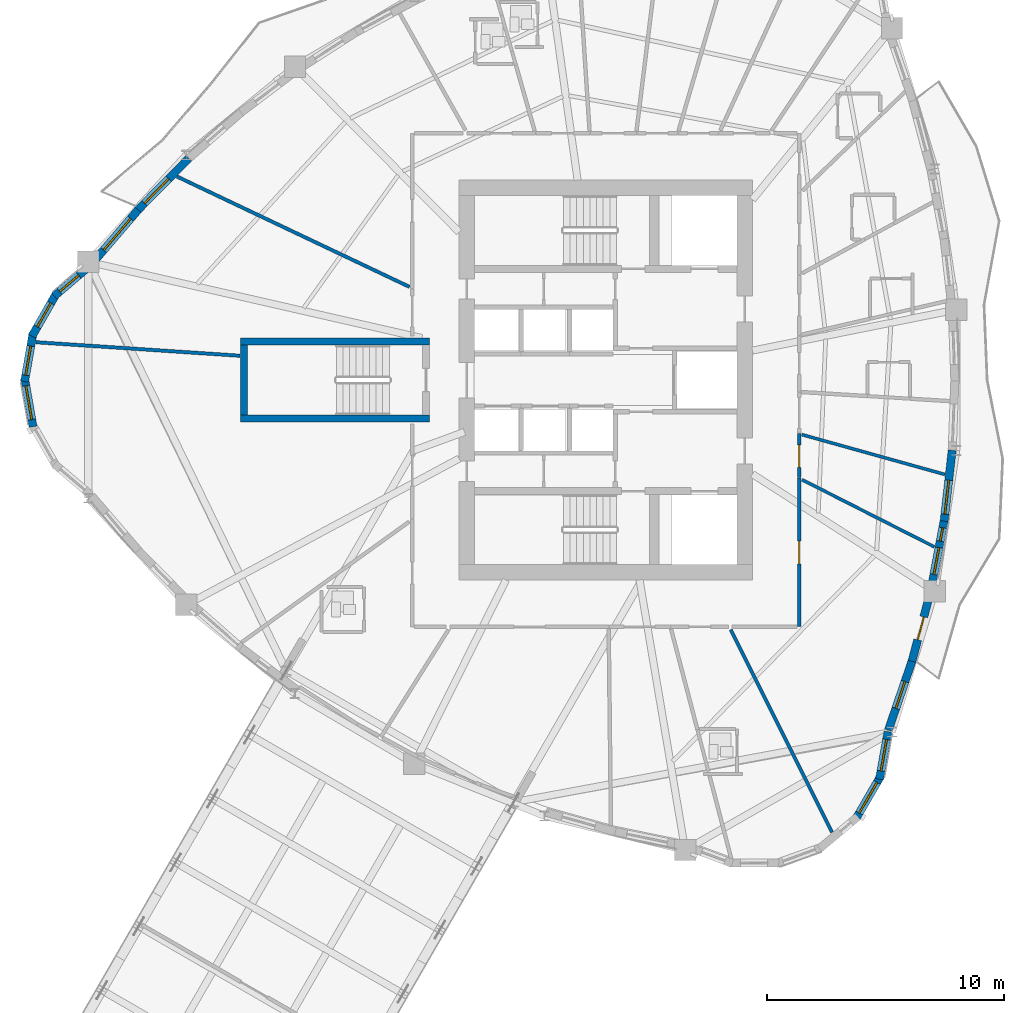
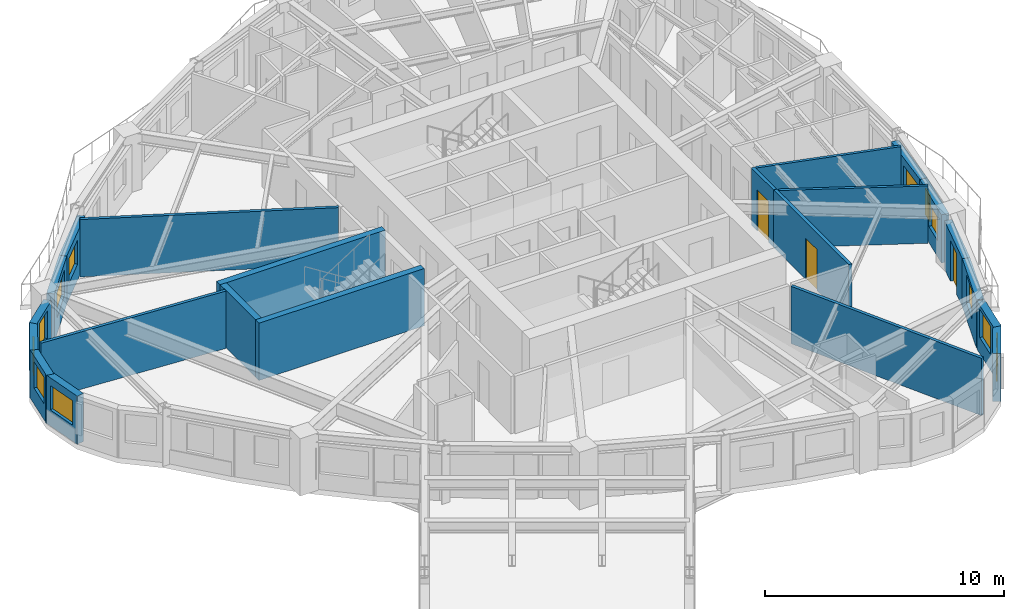
# One storey, part 7 of 17: 22 walls, 12 windows, 3 doors, 15 openings.
"""IFC4 building model written with IfcOpenShell, lengths in metres."""

import ifcopenshell
import ifcopenshell.guid

model = None  # the IFC model being written
_history = None  # IfcOwnerHistory: only IFC2X3 demands one
_inside = {}  # id of a spatial element -> (the spatial element, [elements in it])
_under = {}  # id of a project, library or spatial element -> (it, [spatial elements below it])
_declared = {}  # id of a project -> (the project, [libraries it declares])
_typed = {}  # id of a type object -> (the type object, [elements of that type])
_made_of = {}  # id of a material, layer set ... -> (it, [elements and type objects made of it])


def new_model(schema):
    """Start an empty IFC model of exactly this schema.

    Asked for "IFC4X3", IfcOpenShell would pick the latest addendum, in which some entities
    have other attributes; the version numbers below select the first issue.
    IFC2X3 requires an IfcOwnerHistory on every rooted entity: one is made here for all.
    """
    global model, _history
    if schema == "IFC4X3":
        model = ifcopenshell.file(schema_version=(4, 3, 0, 0))
    else:
        model = ifcopenshell.file(schema=schema)
    _inside.clear()
    _under.clear()
    _declared.clear()
    _typed.clear()
    _made_of.clear()
    _history = None
    if model.schema == "IFC2X3":
        org = make("IfcOrganization", Name="unknown")
        user = make(
            "IfcPersonAndOrganization",
            ThePerson=make("IfcPerson", FamilyName="unknown"),
            TheOrganization=org,
        )
        app = make(
            "IfcApplication",
            ApplicationDeveloper=org,
            Version="unknown",
            ApplicationFullName="unknown",
            ApplicationIdentifier="unknown",
        )
        _history = make(
            "IfcOwnerHistory",
            OwningUser=user,
            OwningApplication=app,
            ChangeAction="ADDED",
            CreationDate=0,
        )
    return model


def make(cls, **values):
    """One entity of the class cls with the attributes given. An attribute that is None is left unset."""
    return model.create_entity(
        cls, **{name: value for name, value in values.items() if value is not None}
    )


def rooted(cls, **values):
    """An entity with a GlobalId (a new one), such as an element, a storey or a relation."""
    return make(cls, GlobalId=ifcopenshell.guid.new(), OwnerHistory=_history, **values)


def si_unit(unit_type, name, prefix=None):
    """IfcSIUnit, for example si_unit("LENGTHUNIT", "METRE", prefix="MILLI")."""
    return make("IfcSIUnit", UnitType=unit_type, Prefix=prefix, Name=name)


def assignment(units):
    """IfcUnitAssignment: the units of a project."""
    return None if units is None else make("IfcUnitAssignment", Units=units)


def point(xyz):
    """IfcCartesianPoint."""
    return None if xyz is None else make("IfcCartesianPoint", Coordinates=xyz)


def direction(xyz):
    """IfcDirection."""
    return None if xyz is None else make("IfcDirection", DirectionRatios=xyz)


def frame(location, z_axis=None, x_axis=None):
    """IfcAxis2Placement3D, a coordinate frame: its origin and axes. An axis left out is left unset."""
    return make(
        "IfcAxis2Placement3D",
        Location=point(location),
        Axis=direction(z_axis),
        RefDirection=direction(x_axis),
    )


def frame_2d(location, x_axis=None):
    """IfcAxis2Placement2D, a coordinate frame in the plane: its origin and x axis."""
    return make(
        "IfcAxis2Placement2D", Location=point(location), RefDirection=direction(x_axis)
    )


def origin():
    """The frame at (0, 0, 0) with its axes left unset."""
    return frame((0.0, 0.0, 0.0))


def place(relative_to, where):
    """IfcLocalPlacement: puts the frame where relative to a parent placement (None: the world)."""
    return make(
        "IfcLocalPlacement", PlacementRelTo=relative_to, RelativePlacement=where
    )


def context(
    kind, dimensions, precision=None, world=None, true_north=None, identifier=None
):
    """IfcGeometricRepresentationContext, for example the 3D "Model" context."""
    return make(
        "IfcGeometricRepresentationContext",
        ContextIdentifier=identifier,
        ContextType=kind,
        CoordinateSpaceDimension=dimensions,
        Precision=precision,
        WorldCoordinateSystem=world,
        TrueNorth=true_north,
    )


def subcontext(parent, identifier, kind, view, scale=None):
    """IfcGeometricRepresentationSubContext, for example "Body" below "Model"."""
    return make(
        "IfcGeometricRepresentationSubContext",
        ContextIdentifier=identifier,
        ContextType=kind,
        ParentContext=parent,
        TargetScale=scale,
        TargetView=view,
    )


def project(units=None, contexts=None):
    """IfcProject with its units and contexts."""
    return rooted(
        "IfcProject",
        Name="project",
        RepresentationContexts=contexts,
        UnitsInContext=assignment(units),
    )


def spatial(cls, under=None, at=None, **own):
    """A site, building, storey or space (cls), placed at a placement, below another one or the project."""
    s = rooted(cls, ObjectPlacement=at, **own)
    if under is not None:
        _under.setdefault(under.id(), (under, []))[1].append(s)
    return s


def profile(cls, at=None, kind="AREA", **sizes):
    """A parametric profile (cls). Its sizes go by their IFC names, for example OverallWidth=200.0."""
    return make(cls, ProfileType=kind, Position=at, **sizes)


def rectangle(**sizes):
    """IfcRectangleProfileDef."""
    return profile("IfcRectangleProfileDef", **sizes)


def extrude(swept, where, along, depth):
    """IfcExtrudedAreaSolid: the profile swept, set in the frame where, extruded along a direction by depth."""
    return make(
        "IfcExtrudedAreaSolid",
        SweptArea=swept,
        Position=where,
        ExtrudedDirection=direction(along),
        Depth=depth,
    )


def shape(context_of_items, identifier, shape_type, items):
    """IfcShapeRepresentation: the items that make up one representation, for example the "Body"."""
    return make(
        "IfcShapeRepresentation",
        ContextOfItems=context_of_items,
        RepresentationIdentifier=identifier,
        RepresentationType=shape_type,
        Items=items,
    )


def source(mapping_origin, context_of_items, identifier, shape_type, items):
    """IfcRepresentationMap: a shape defined once, which mapped items show again and again."""
    return make(
        "IfcRepresentationMap",
        MappingOrigin=mapping_origin,
        MappedRepresentation=shape(context_of_items, identifier, shape_type, items),
    )


def transform(
    local_origin,
    x_axis=None,
    y_axis=None,
    z_axis=None,
    scale=None,
    scale2=None,
    scale3=None,
    uniform=True,
):
    """IfcCartesianTransformationOperator3D, or its non-uniform kind. x_axis, y_axis, z_axis: its Axis1, 2, 3."""
    if uniform:
        return make(
            "IfcCartesianTransformationOperator3D",
            Axis1=direction(x_axis),
            Axis2=direction(y_axis),
            LocalOrigin=point(local_origin),
            Scale=scale,
            Axis3=direction(z_axis),
        )
    return make(
        "IfcCartesianTransformationOperator3DnonUniform",
        Axis1=direction(x_axis),
        Axis2=direction(y_axis),
        LocalOrigin=point(local_origin),
        Scale=scale,
        Axis3=direction(z_axis),
        Scale2=scale2,
        Scale3=scale3,
    )


def mapped(mapping_source, mapping_target):
    """IfcMappedItem: shows the shape of a source again, moved by a transform."""
    return make(
        "IfcMappedItem", MappingSource=mapping_source, MappingTarget=mapping_target
    )


def material(Name=None, Category=None):
    """IfcMaterial."""
    return make("IfcMaterial", Name=Name, Category=Category)


def layer(
    of_material, thickness, ventilated=None, Name=None, Category=None, Priority=None
):
    """IfcMaterialLayer: one layer of a wall or slab, of a material (None: an air gap)."""
    return make(
        "IfcMaterialLayer",
        Material=of_material,
        LayerThickness=thickness,
        IsVentilated=ventilated,
        Name=Name,
        Category=Category,
        Priority=Priority,
    )


def layer_set(layers, Name=None):
    """IfcMaterialLayerSet."""
    return make("IfcMaterialLayerSet", MaterialLayers=layers, LayerSetName=Name)


def made_of(thing, what):
    """Note that an element or type object is made of a material, layer set ...; save() writes the relation."""
    if what is not None:
        _made_of.setdefault(what.id(), (what, []))[1].append(thing)
    return thing


def type_object(cls, material=None, **own):
    """A type object (cls), such as IfcWallType, which elements share."""
    return made_of(rooted(cls, **own), material)


def element(
    cls,
    number,
    at=None,
    inside=None,
    cuts=None,
    type_object=None,
    material=None,
    context=None,
    identifier="Body",
    shape_type=None,
    held_by="IfcProductDefinitionShape",
    body=None,
    shapes=None,
    **own,
):
    """One element of the class cls, such as IfcWall. Its Tag is "e" and its number.

    at: its placement. inside: the storey or other place that contains it. cuts: it is an
    opening in that element (IfcRelVoidsElement). A single representation is given by context,
    identifier, shape_type and body (its items); several are given by shapes. held_by: the class
    of the entity that holds the representations. save() writes the other relations.
    """
    e = rooted(cls, Tag="e%d" % number, ObjectPlacement=at, **own)
    if body is not None:
        shapes = [shape(context, identifier, shape_type, body)]
    if shapes is not None:
        e.Representation = make(held_by, Representations=shapes)
    if inside is not None:
        _inside.setdefault(inside.id(), (inside, []))[1].append(e)
    if cuts is not None:
        rooted(
            "IfcRelVoidsElement", RelatingBuildingElement=cuts, RelatedOpeningElement=e
        )
    if type_object is not None:
        _typed.setdefault(type_object.id(), (type_object, []))[1].append(e)
    return made_of(e, material)


def fill(opening, filler):
    """IfcRelFillsElement: the door or window that sits in an opening."""
    return rooted(
        "IfcRelFillsElement",
        RelatingOpeningElement=opening,
        RelatedBuildingElement=filler,
    )


def aggregate(whole, parts):
    """IfcRelAggregates: a whole, such as a stair, and the parts it consists of."""
    return rooted("IfcRelAggregates", RelatingObject=whole, RelatedObjects=parts)


def save(model, path):
    """Write the relations noted so far, then the file.

    IfcRelAggregates (storeys below a building ...), IfcRelContainedInSpatialStructure (elements
    in a storey), IfcRelDefinesByType, IfcRelAssociatesMaterial and IfcRelDeclares: one each for
    every whole, place, type object, material and project.
    """
    for whole, parts in _under.values():
        aggregate(whole, parts)
    for where, things in _inside.values():
        rooted(
            "IfcRelContainedInSpatialStructure",
            RelatedElements=things,
            RelatingStructure=where,
        )
    for kind, things in _typed.values():
        rooted("IfcRelDefinesByType", RelatedObjects=things, RelatingType=kind)
    for what, things in _made_of.values():
        rooted("IfcRelAssociatesMaterial", RelatedObjects=things, RelatingMaterial=what)
    for by, libraries in _declared.values():
        rooted("IfcRelDeclares", RelatingContext=by, RelatedDefinitions=libraries)
    model.write(path)


model = new_model("IFC4")

# Units and contexts
model_context = context("Model", 3, precision=1e-05, world=origin(), true_north=direction((0.0, 1.0)))
body_context = subcontext(model_context, "Body", "Model", "MODEL_VIEW")
ifc_project = project(units=[si_unit("LENGTHUNIT", "METRE"), si_unit("AREAUNIT", "SQUARE_METRE"), si_unit("VOLUMEUNIT", "CUBIC_METRE"), si_unit("PLANEANGLEUNIT", "RADIAN"), si_unit("MASSUNIT", "GRAM", prefix="KILO")], contexts=[model_context])

# Site, building, storey
site_placement = place(None, origin())
site = spatial("IfcSite", under=ifc_project, at=site_placement, CompositionType="ELEMENT")
building_placement = place(site_placement, origin())
building = spatial("IfcBuilding", under=site, at=building_placement, Name="Qafzar Sky-Pleat Residences", CompositionType="ELEMENT")
storey_placement = place(building_placement, frame((0.0, 0.0, 108.800048828125)))
storey = spatial("IfcBuildingStorey", under=building, at=storey_placement, Name="L32", CompositionType="ELEMENT", Elevation=108.800048828125)

# Wall, opening, door
ifc_material_1 = material(Name="Acoustic gypsum plasterboard partition", Category="gypsum")
ifc_layer_1 = layer(ifc_material_1, 0.159912109375)
ifc_layer_set_1 = layer_set([ifc_layer_1], Name="Acoustic gypsum plasterboard partition")
wall_type_1 = type_object("IfcWallType", Name="PART-COR-160", PredefinedType="PARTITIONING", material=ifc_layer_set_1)
wall_1_placement = place(storey_placement, frame((38.530029296875, 21.863037109375, 0.0), z_axis=(0.0, 0.0, 1.0), x_axis=(0.0, -1.0, 0.0)))
wall_1 = element("IfcWall", 1, at=wall_1_placement, inside=storey, type_object=wall_type_1, Name="L32 Partition Wall PART-L32-PW-004", PredefinedType="PARTITIONING", context=body_context, shape_type="SweptSolid", body=[
    extrude(rectangle(XDim=6.29296875, YDim=0.159912109375, at=frame_2d((3.146484375, 0.0))), origin(), (0.0, 0.0, 1.0), 2.93505859375),
])
opening_1_placement = place(wall_1_placement, frame((2.675048828125, 0.0, 0.0)))
opening_1 = element("IfcOpeningElement", 2, at=opening_1_placement, cuts=wall_1, Name="Opening ID-06", PredefinedType="OPENING", context=body_context, shape_type="SweptSolid", body=[
    extrude(rectangle(XDim=0.9599609375, YDim=2.10009765625, at=frame_2d((0.47998046875, 1.050048828125))), frame((0.0, 0.08984375, 0.0), z_axis=(0.0, -1.0, 0.0), x_axis=(1.0, 0.0, 0.0)), (0.0, 0.0, 1.0), 0.179931640625),
])
ifc_material_2 = material(Name="Timber-faced fire door", Category="wood")
door_type_1 = type_object("IfcDoorType", Name="DR-STD-960", OperationType="NOTDEFINED", PredefinedType="DOOR", material=ifc_material_2)
shared_shape_1 = source(origin(), body_context, "Body", "SweptSolid", [
    extrude(rectangle(XDim=0.9599609375, YDim=2.10009765625, at=frame_2d((0.47998046875, 1.050048828125))), frame((0.0, 0.02490234375, 0.0), z_axis=(0.0, -1.0, 0.0), x_axis=(1.0, 0.0, 0.0)), (0.0, 0.0, 1.0), 0.050048828125),
])
door_1_placement = place(opening_1_placement, origin())
door_1 = element("IfcDoor", 3, at=door_1_placement, inside=storey, type_object=door_type_1, Name="L32 Wellness Yoga Studio Door", OperationType="SINGLE_SWING_RIGHT", OverallHeight=2.10009765625, OverallWidth=0.9599609375, PredefinedType="DOOR", context=body_context, shape_type="MappedRepresentation", body=[
    mapped(shared_shape_1, transform((0.0, 0.0, 0.0), x_axis=(1.0, 0.0, 0.0), y_axis=(0.0, 1.0, 0.0), z_axis=(0.0, 0.0, 1.0), scale=1.0)),
])
fill(opening_1, door_1)

wall_2_placement = place(storey_placement, frame((38.530029296875, 23.737060546875, 0.0), z_axis=(0.0, 0.0, 1.0), x_axis=(0.0, -1.0, 0.0)))
wall_2 = element("IfcWall", 4, at=wall_2_placement, inside=storey, type_object=wall_type_1, Name="L32 Partition Wall PART-L32-PW-025", PredefinedType="PARTITIONING", context=body_context, shape_type="SweptSolid", body=[
    extrude(rectangle(XDim=1.859130859375, YDim=0.159912109375, at=frame_2d((0.9296875, 0.0))), origin(), (0.0, 0.0, 1.0), 2.93505859375),
])
opening_2_placement = place(wall_2_placement, frame((0.47802734375, 0.0, 0.0)))
opening_2 = element("IfcOpeningElement", 5, at=opening_2_placement, cuts=wall_2, Name="Opening ID-08", PredefinedType="OPENING", context=body_context, shape_type="SweptSolid", body=[
    extrude(rectangle(XDim=0.949951171875, YDim=2.10009765625, at=frame_2d((0.47509765625, 1.050048828125))), frame((0.0, 0.08984375, 0.0), z_axis=(0.0, -1.0, 0.0), x_axis=(1.0, 0.0, 0.0)), (0.0, 0.0, 1.0), 0.179931640625),
])
door_type_2 = type_object("IfcDoorType", Name="DR-AWC-950", OperationType="NOTDEFINED", PredefinedType="DOOR", material=ifc_material_2)
shared_shape_2 = source(origin(), body_context, "Body", "SweptSolid", [
    extrude(rectangle(XDim=0.949951171875, YDim=2.10009765625, at=frame_2d((0.47509765625, 1.050048828125))), frame((0.0, 0.02490234375, 0.0), z_axis=(0.0, -1.0, 0.0), x_axis=(1.0, 0.0, 0.0)), (0.0, 0.0, 1.0), 0.050048828125),
])
door_2_placement = place(opening_2_placement, origin())
door_2 = element("IfcDoor", 6, at=door_2_placement, inside=storey, type_object=door_type_2, Name="L32 Accessible Shared Washroom Door", OperationType="SINGLE_SWING_RIGHT", OverallHeight=2.10009765625, OverallWidth=0.949951171875, PredefinedType="DOOR", context=body_context, shape_type="MappedRepresentation", body=[
    mapped(shared_shape_2, transform((0.0, 0.0, 0.0), x_axis=(1.0, 0.0, 0.0), y_axis=(0.0, 1.0, 0.0), z_axis=(0.0, 0.0, 1.0), scale=1.0)),
])
fill(opening_2, door_2)

# Walls
ifc_layer_2 = layer(ifc_material_1, 0.14501953125)
ifc_layer_set_2 = layer_set([ifc_layer_2], Name="Acoustic gypsum plasterboard partition")
wall_type_2 = type_object("IfcWallType", Name="PART-UNIT-145", PredefinedType="PARTITIONING", material=ifc_layer_set_2)
wall_3_placement = place(storey_placement, frame((12.21923828125, 34.602294921875, 0.0), z_axis=(0.0, 0.0, 1.0), x_axis=(0.90346129999, -0.428669662351, 0.0)))
element("IfcWall", 7, at=wall_3_placement, inside=storey, type_object=wall_type_2, Name="L32 Partition Wall PART-L32-PW-031", PredefinedType="PARTITIONING", context=body_context, shape_type="SweptSolid", body=[
    extrude(rectangle(XDim=10.883056640625, YDim=0.14501953125, at=frame_2d((5.44140625, 0.0))), origin(), (0.0, 0.0, 1.0), 2.93505859375),
])
wall_4_placement = place(storey_placement, frame((35.627685546875, 15.450439453125, 0.0), z_axis=(0.0, 0.0, 1.0), x_axis=(0.447427687311, -0.894320113062, 0.0)))
element("IfcWall", 8, at=wall_4_placement, inside=storey, type_object=wall_type_2, Name="L32 Partition Wall PART-L32-PW-034", PredefinedType="PARTITIONING", context=body_context, shape_type="SweptSolid", body=[
    extrude(rectangle(XDim=9.578369140625, YDim=0.14501953125, at=frame_2d((4.7890625, 0.0))), origin(), (0.0, 0.0, 1.0), 2.93505859375),
])
wall_5_placement = place(storey_placement, frame((6.260009765625, 27.597412109375, 0.0), z_axis=(0.0, 0.0, 1.0), x_axis=(0.997805352235, -0.066215398902, 0.0)))
element("IfcWall", 9, at=wall_5_placement, inside=storey, type_object=wall_type_2, Name="L32 Partition Wall PART-L32-PW-037", PredefinedType="PARTITIONING", context=body_context, shape_type="SweptSolid", body=[
    extrude(rectangle(XDim=8.646240234375, YDim=0.14501953125, at=frame_2d((4.3232421875, 0.0))), origin(), (0.0, 0.0, 1.0), 2.93505859375),
])
ifc_material_3 = material(Name="Moisture-resistant gypsum partition", Category="gypsum")
ifc_layer_3 = layer(ifc_material_3, 0.1298828125)
ifc_layer_set_3 = layer_set([ifc_layer_3], Name="Moisture-resistant gypsum partition")
wall_type_3 = type_object("IfcWallType", Name="PART-WET-130", PredefinedType="PARTITIONING", material=ifc_layer_set_3)
wall_6_placement = place(storey_placement, frame((38.646484375, 21.786865234375, 0.0), z_axis=(0.0, 0.0, 1.0), x_axis=(0.891647923981, -0.452729477349, 0.0)))
element("IfcWall", 10, at=wall_6_placement, inside=storey, type_object=wall_type_3, Name="L32 Partition Wall PART-L32-PW-041", PredefinedType="PARTITIONING", context=body_context, shape_type="SweptSolid", body=[
    extrude(rectangle(XDim=6.275390625, YDim=0.1298828125, at=frame_2d((3.1376953125, 0.0))), origin(), (0.0, 0.0, 1.0), 2.93505859375),
])
wall_7_placement = place(storey_placement, frame((38.63525390625, 23.692626953125, 0.0), z_axis=(0.0, 0.0, 1.0), x_axis=(0.963309939171, -0.268391432602, 0.0)))
element("IfcWall", 11, at=wall_7_placement, inside=storey, type_object=wall_type_3, Name="L32 Partition Wall PART-L32-PW-042", PredefinedType="PARTITIONING", context=body_context, shape_type="SweptSolid", body=[
    extrude(rectangle(XDim=6.281982421875, YDim=0.1298828125, at=frame_2d((3.14111328125, 0.0))), origin(), (0.0, 0.0, 1.0), 2.93505859375),
])

# Wall, opening, window
ifc_material_4 = material(Name="Precast concrete C40/50 with honed Riyadh limestone", Category="concrete")
ifc_layer_4 = layer(ifc_material_4, 0.340087890625)
ifc_layer_set_4 = layer_set([ifc_layer_4], Name="Precast concrete C40/50 with honed Riyadh limestone")
wall_type_4 = type_object("IfcWallType", Name="WALL-EXT-340", PredefinedType="SOLIDWALL", material=ifc_layer_set_4)
wall_8_placement = place(storey_placement, frame((8.4091796875, 30.7177734375, 0.0), z_axis=(0.0, 0.0, 1.0), x_axis=(-0.761134405886, -0.648594184507, 0.0)))
wall_8 = element("IfcWall", 12, at=wall_8_placement, inside=storey, type_object=wall_type_4, Name="L32 Limestone Facade Wall 1", PredefinedType="SOLIDWALL", context=body_context, shape_type="SweptSolid", body=[
    extrude(rectangle(XDim=1.804931640625, YDim=0.340087890625, at=frame_2d((0.90234375, 0.0))), origin(), (0.0, 0.0, 1.0), 2.46484375),
])
opening_3_placement = place(wall_8_placement, frame((0.452392578125, 0.0, 0.820068359375)))
opening_3 = element("IfcOpeningElement", 13, at=opening_3_placement, cuts=wall_8, Name="Opening WN-06", PredefinedType="OPENING", context=body_context, shape_type="SweptSolid", body=[
    extrude(rectangle(XDim=1.050048828125, YDim=1.449951171875, at=frame_2d((0.52490234375, 0.72509765625))), frame((0.0, 0.18017578125, 0.0), z_axis=(0.0, -1.0, 0.0), x_axis=(1.0, 0.0, 0.0)), (0.0, 0.0, 1.0), 0.360107421875),
])
ifc_material_5 = material(Name="Solar-control low-E glass in bronze aluminium frame", Category="glass")
window_type_1 = type_object("IfcWindowType", Name="WIN-06", PartitioningType="SINGLE_PANEL", PredefinedType="WINDOW", material=ifc_material_5)
shared_shape_3 = source(origin(), body_context, "Body", "SweptSolid", [
    extrude(rectangle(XDim=1.050048828125, YDim=1.449951171875, at=frame_2d((0.52490234375, 0.72509765625))), frame((0.0, 0.030029296875, 0.0), z_axis=(0.0, -1.0, 0.0), x_axis=(1.0, 0.0, 0.0)), (0.0, 0.0, 1.0), 0.06005859375),
])
window_1_placement = place(opening_3_placement, origin())
window_1 = element("IfcWindow", 14, at=window_1_placement, inside=storey, type_object=window_type_1, Name="L32 Punched Facade Window 01", OverallHeight=1.449951171875, OverallWidth=1.050048828125, PartitioningType="SINGLE_PANEL", PredefinedType="WINDOW", context=body_context, shape_type="MappedRepresentation", body=[
    mapped(shared_shape_3, transform((0.0, 0.0, 0.0), x_axis=(1.0, 0.0, 0.0), y_axis=(0.0, 1.0, 0.0), z_axis=(0.0, 0.0, 1.0), scale=1.0)),
])
fill(opening_3, window_1)

wall_9_placement = place(storey_placement, frame((7.12060546875, 29.64990234375, 0.0), z_axis=(0.0, 0.0, 1.0), x_axis=(-0.496037473582, -0.868301114132, 0.0)))
wall_9 = element("IfcWall", 15, at=wall_9_placement, inside=storey, type_object=wall_type_4, Name="L32 Limestone Facade Wall 2", PredefinedType="SOLIDWALL", context=body_context, shape_type="SweptSolid", body=[
    extrude(rectangle(XDim=2.072998046875, YDim=0.340087890625, at=frame_2d((1.03662109375, 0.0))), origin(), (0.0, 0.0, 1.0), 2.46484375),
])
opening_4_placement = place(wall_9_placement, frame((0.46142578125, 0.0, 0.820068359375)))
opening_4 = element("IfcOpeningElement", 16, at=opening_4_placement, cuts=wall_9, Name="Opening WN-16", PredefinedType="OPENING", context=body_context, shape_type="SweptSolid", body=[
    extrude(rectangle(XDim=1.14990234375, YDim=1.199951171875, at=frame_2d((0.574951171875, 0.60009765625))), frame((0.0, 0.18017578125, 0.0), z_axis=(0.0, -1.0, 0.0), x_axis=(1.0, 0.0, 0.0)), (0.0, 0.0, 1.0), 0.360107421875),
])
window_type_2 = type_object("IfcWindowType", Name="WIN-16", PartitioningType="SINGLE_PANEL", PredefinedType="WINDOW", material=ifc_material_5)
shared_shape_4 = source(origin(), body_context, "Body", "SweptSolid", [
    extrude(rectangle(XDim=1.14990234375, YDim=1.199951171875, at=frame_2d((0.574951171875, 0.60009765625))), frame((0.0, 0.030029296875, 0.0), z_axis=(0.0, -1.0, 0.0), x_axis=(1.0, 0.0, 0.0)), (0.0, 0.0, 1.0), 0.06005859375),
])
window_2_placement = place(opening_4_placement, origin())
window_2 = element("IfcWindow", 17, at=window_2_placement, inside=storey, type_object=window_type_2, Name="L32 Punched Facade Window 02", OverallHeight=1.199951171875, OverallWidth=1.14990234375, PartitioningType="SINGLE_PANEL", PredefinedType="WINDOW", context=body_context, shape_type="MappedRepresentation", body=[
    mapped(shared_shape_4, transform((0.0, 0.0, 0.0), x_axis=(1.0, 0.0, 0.0), y_axis=(0.0, 1.0, 0.0), z_axis=(0.0, 0.0, 1.0), scale=1.0)),
])
fill(opening_4, window_2)

wall_10_placement = place(storey_placement, frame((6.1376953125, 27.975341796875, 0.0), z_axis=(0.0, 0.0, 1.0), x_axis=(-0.172186061474, -0.985064444711, 0.0)))
wall_10 = element("IfcWall", 18, at=wall_10_placement, inside=storey, type_object=wall_type_4, Name="L32 Limestone Facade Wall 3", PredefinedType="SOLIDWALL", context=body_context, shape_type="SweptSolid", body=[
    extrude(rectangle(XDim=2.072998046875, YDim=0.340087890625, at=frame_2d((1.03662109375, 0.0))), origin(), (0.0, 0.0, 1.0), 2.46484375),
])
opening_5_placement = place(wall_10_placement, frame((0.548583984375, 0.0, 0.820068359375)))
opening_5 = element("IfcOpeningElement", 19, at=opening_5_placement, cuts=wall_10, Name="Opening WN-11", PredefinedType="OPENING", context=body_context, shape_type="SweptSolid", body=[
    extrude(rectangle(XDim=1.25, YDim=1.35009765625, at=frame_2d((0.625, 0.675048828125))), frame((0.0, 0.18017578125, 0.0), z_axis=(0.0, -1.0, 0.0), x_axis=(1.0, 0.0, 0.0)), (0.0, 0.0, 1.0), 0.360107421875),
])
window_type_3 = type_object("IfcWindowType", Name="WIN-11", PartitioningType="SINGLE_PANEL", PredefinedType="WINDOW", material=ifc_material_5)
shared_shape_5 = source(origin(), body_context, "Body", "SweptSolid", [
    extrude(rectangle(XDim=1.25, YDim=1.35009765625, at=frame_2d((0.625, 0.675048828125))), frame((0.0, 0.030029296875, 0.0), z_axis=(0.0, -1.0, 0.0), x_axis=(1.0, 0.0, 0.0)), (0.0, 0.0, 1.0), 0.06005859375),
])
window_3_placement = place(opening_5_placement, origin())
window_3 = element("IfcWindow", 20, at=window_3_placement, inside=storey, type_object=window_type_3, Name="L32 Punched Facade Window 03", OverallHeight=1.35009765625, OverallWidth=1.25, PartitioningType="SINGLE_PANEL", PredefinedType="WINDOW", context=body_context, shape_type="MappedRepresentation", body=[
    mapped(shared_shape_5, transform((0.0, 0.0, 0.0), x_axis=(1.0, 0.0, 0.0), y_axis=(0.0, 1.0, 0.0), z_axis=(0.0, 0.0, 1.0), scale=1.0)),
])
fill(opening_5, window_3)

wall_11_placement = place(storey_placement, frame((5.78076171875, 26.066650390625, 0.0), z_axis=(0.0, 0.0, 1.0), x_axis=(0.172186061474, -0.985064444711, 0.0)))
wall_11 = element("IfcWall", 21, at=wall_11_placement, inside=storey, type_object=wall_type_4, Name="L32 Limestone Facade Wall 4", PredefinedType="SOLIDWALL", context=body_context, shape_type="SweptSolid", body=[
    extrude(rectangle(XDim=2.072998046875, YDim=0.340087890625, at=frame_2d((1.03662109375, 0.0))), origin(), (0.0, 0.0, 1.0), 2.46484375),
])
opening_6_placement = place(wall_11_placement, frame((0.3115234375, 0.0, 0.820068359375)))
opening_6 = element("IfcOpeningElement", 22, at=opening_6_placement, cuts=wall_11, Name="Opening WN-15", PredefinedType="OPENING", context=body_context, shape_type="SweptSolid", body=[
    extrude(rectangle(XDim=1.449951171875, YDim=1.25, at=frame_2d((0.72509765625, 0.625))), frame((0.0, 0.18017578125, 0.0), z_axis=(0.0, -1.0, 0.0), x_axis=(1.0, 0.0, 0.0)), (0.0, 0.0, 1.0), 0.360107421875),
])
window_type_4 = type_object("IfcWindowType", Name="WIN-15", PartitioningType="SINGLE_PANEL", PredefinedType="WINDOW", material=ifc_material_5)
shared_shape_6 = source(origin(), body_context, "Body", "SweptSolid", [
    extrude(rectangle(XDim=1.449951171875, YDim=1.25, at=frame_2d((0.72509765625, 0.625))), frame((0.0, 0.030029296875, 0.0), z_axis=(0.0, -1.0, 0.0), x_axis=(1.0, 0.0, 0.0)), (0.0, 0.0, 1.0), 0.06005859375),
])
window_4_placement = place(opening_6_placement, origin())
window_4 = element("IfcWindow", 23, at=window_4_placement, inside=storey, type_object=window_type_4, Name="L32 Punched Facade Window 04", OverallHeight=1.25, OverallWidth=1.449951171875, PartitioningType="SINGLE_PANEL", PredefinedType="WINDOW", context=body_context, shape_type="MappedRepresentation", body=[
    mapped(shared_shape_6, transform((0.0, 0.0, 0.0), x_axis=(1.0, 0.0, 0.0), y_axis=(0.0, 1.0, 0.0), z_axis=(0.0, 0.0, 1.0), scale=1.0)),
])
fill(opening_6, window_4)

wall_12_placement = place(storey_placement, frame((40.91552734375, 7.435302734375, 0.0), z_axis=(0.0, 0.0, 1.0), x_axis=(0.501989603552, 0.864873654313, 0.0)))
wall_12 = element("IfcWall", 24, at=wall_12_placement, inside=storey, type_object=wall_type_4, Name="L32 Limestone Facade Wall 21", PredefinedType="SOLIDWALL", context=body_context, shape_type="SweptSolid", body=[
    extrude(rectangle(XDim=2.09912109375, YDim=0.340087890625, at=frame_2d((1.049560546875, 0.0))), origin(), (0.0, 0.0, 1.0), 2.46484375),
])
opening_7_placement = place(wall_12_placement, frame((0.299560546875, 0.0, 0.820068359375)))
opening_7 = element("IfcOpeningElement", 25, at=opening_7_placement, cuts=wall_12, Name="Opening WN-03", PredefinedType="OPENING", context=body_context, shape_type="SweptSolid", body=[
    extrude(rectangle(XDim=1.5, YDim=1.449951171875, at=frame_2d((0.75, 0.72509765625))), frame((0.0, 0.18017578125, 0.0), z_axis=(0.0, -1.0, 0.0), x_axis=(1.0, 0.0, 0.0)), (0.0, 0.0, 1.0), 0.360107421875),
])
window_type_5 = type_object("IfcWindowType", Name="WIN-03", PartitioningType="DOUBLE_PANEL_VERTICAL", PredefinedType="WINDOW", material=ifc_material_5)
shared_shape_7 = source(origin(), body_context, "Body", "SweptSolid", [
    extrude(rectangle(XDim=1.5, YDim=1.449951171875, at=frame_2d((0.75, 0.72509765625))), frame((0.0, 0.030029296875, 0.0), z_axis=(0.0, -1.0, 0.0), x_axis=(1.0, 0.0, 0.0)), (0.0, 0.0, 1.0), 0.06005859375),
])
window_5_placement = place(opening_7_placement, origin())
window_5 = element("IfcWindow", 26, at=window_5_placement, inside=storey, type_object=window_type_5, Name="L32 Punched Facade Window 21", OverallHeight=1.449951171875, OverallWidth=1.5, PartitioningType="SINGLE_PANEL", PredefinedType="WINDOW", context=body_context, shape_type="MappedRepresentation", body=[
    mapped(shared_shape_7, transform((0.0, 0.0, 0.0), x_axis=(1.0, 0.0, 0.0), y_axis=(0.0, 1.0, 0.0), z_axis=(0.0, 0.0, 1.0), scale=1.0)),
])
fill(opening_7, window_5)

wall_13_placement = place(storey_placement, frame((41.923095703125, 9.124755859375, 0.0), z_axis=(0.0, 0.0, 1.0), x_axis=(0.174399433509, 0.984674990843, 0.0)))
wall_13 = element("IfcWall", 27, at=wall_13_placement, inside=storey, type_object=wall_type_4, Name="L32 Limestone Facade Wall 22", PredefinedType="SOLIDWALL", context=body_context, shape_type="SweptSolid", body=[
    extrude(rectangle(XDim=2.041015625, YDim=0.340087890625, at=frame_2d((1.0205078125, 0.0))), origin(), (0.0, 0.0, 1.0), 2.46484375),
])
opening_8_placement = place(wall_13_placement, frame((0.35546875, 0.0, 0.820068359375)))
opening_8 = element("IfcOpeningElement", 28, at=opening_8_placement, cuts=wall_13, Name="Opening WN-04", PredefinedType="OPENING", context=body_context, shape_type="SweptSolid", body=[
    extrude(rectangle(XDim=1.35009765625, YDim=1.449951171875, at=frame_2d((0.675048828125, 0.72509765625))), frame((0.0, 0.18017578125, 0.0), z_axis=(0.0, -1.0, 0.0), x_axis=(1.0, 0.0, 0.0)), (0.0, 0.0, 1.0), 0.360107421875),
])
window_type_6 = type_object("IfcWindowType", Name="WIN-04", PartitioningType="SINGLE_PANEL", PredefinedType="WINDOW", material=ifc_material_5)
shared_shape_8 = source(origin(), body_context, "Body", "SweptSolid", [
    extrude(rectangle(XDim=1.35009765625, YDim=1.449951171875, at=frame_2d((0.675048828125, 0.72509765625))), frame((0.0, 0.030029296875, 0.0), z_axis=(0.0, -1.0, 0.0), x_axis=(1.0, 0.0, 0.0)), (0.0, 0.0, 1.0), 0.06005859375),
])
window_6_placement = place(opening_8_placement, origin())
window_6 = element("IfcWindow", 29, at=window_6_placement, inside=storey, type_object=window_type_6, Name="L32 Punched Facade Window 22", OverallHeight=1.449951171875, OverallWidth=1.35009765625, PartitioningType="SINGLE_PANEL", PredefinedType="WINDOW", context=body_context, shape_type="MappedRepresentation", body=[
    mapped(shared_shape_8, transform((0.0, 0.0, 0.0), x_axis=(1.0, 0.0, 0.0), y_axis=(0.0, 1.0, 0.0), z_axis=(0.0, 0.0, 1.0), scale=1.0)),
])
fill(opening_8, window_6)

wall_14_placement = place(storey_placement, frame((42.295654296875, 11.198486328125, 0.0), z_axis=(0.0, 0.0, 1.0), x_axis=(0.323560359566, 0.946207532055, 0.0)))
wall_14 = element("IfcWall", 30, at=wall_14_placement, inside=storey, type_object=wall_type_4, Name="L32 Limestone Facade Wall 23", PredefinedType="SOLIDWALL", context=body_context, shape_type="SweptSolid", body=[
    extrude(rectangle(XDim=3.162353515625, YDim=0.340087890625, at=frame_2d((1.5810546875, 0.0))), origin(), (0.0, 0.0, 1.0), 2.46484375),
])
opening_9_placement = place(wall_14_placement, frame((0.97119140625, 0.0, 0.820068359375)))
opening_9 = element("IfcOpeningElement", 31, at=opening_9_placement, cuts=wall_14, Name="Opening WN-05", PredefinedType="OPENING", context=body_context, shape_type="SweptSolid", body=[
    extrude(rectangle(XDim=1.199951171875, YDim=1.449951171875, at=frame_2d((0.60009765625, 0.72509765625))), frame((0.0, 0.18017578125, 0.0), z_axis=(0.0, -1.0, 0.0), x_axis=(1.0, 0.0, 0.0)), (0.0, 0.0, 1.0), 0.360107421875),
])
window_type_7 = type_object("IfcWindowType", Name="WIN-05", PartitioningType="SINGLE_PANEL", PredefinedType="WINDOW", material=ifc_material_5)
shared_shape_9 = source(origin(), body_context, "Body", "SweptSolid", [
    extrude(rectangle(XDim=1.199951171875, YDim=1.449951171875, at=frame_2d((0.60009765625, 0.72509765625))), frame((0.0, 0.030029296875, 0.0), z_axis=(0.0, -1.0, 0.0), x_axis=(1.0, 0.0, 0.0)), (0.0, 0.0, 1.0), 0.06005859375),
])
window_7_placement = place(opening_9_placement, origin())
window_7 = element("IfcWindow", 32, at=window_7_placement, inside=storey, type_object=window_type_7, Name="L32 Punched Facade Window 23", OverallHeight=1.449951171875, OverallWidth=1.199951171875, PartitioningType="SINGLE_PANEL", PredefinedType="WINDOW", context=body_context, shape_type="MappedRepresentation", body=[
    mapped(shared_shape_9, transform((0.0, 0.0, 0.0), x_axis=(1.0, 0.0, 0.0), y_axis=(0.0, 1.0, 0.0), z_axis=(0.0, 0.0, 1.0), scale=1.0)),
])
fill(opening_9, window_7)

# Wall, opening, door
wall_15_placement = place(storey_placement, frame((43.29345703125, 14.106689453125, 0.0), z_axis=(0.0, 0.0, 1.0), x_axis=(0.257057160046, 0.966396200566, 0.0)))
wall_15 = element("IfcWall", 33, at=wall_15_placement, inside=storey, type_object=wall_type_4, Name="L32 Limestone Facade Wall 24", PredefinedType="SOLIDWALL", context=body_context, shape_type="SweptSolid", body=[
    extrude(rectangle(XDim=2.88623046875, YDim=0.340087890625, at=frame_2d((1.443115234375, 0.0))), origin(), (0.0, 0.0, 1.0), 2.46484375),
])
opening_10_placement = place(wall_15_placement, frame((0.943359375, 0.0, 0.0)))
opening_10 = element("IfcOpeningElement", 34, at=opening_10_placement, cuts=wall_15, Name="Opening ED-05", PredefinedType="OPENING", context=body_context, shape_type="SweptSolid", body=[
    extrude(rectangle(XDim=1.0, YDim=2.10009765625, at=frame_2d((0.5, 1.050048828125))), frame((0.0, 0.18017578125, 0.0), z_axis=(0.0, -1.0, 0.0), x_axis=(1.0, 0.0, 0.0)), (0.0, 0.0, 1.0), 0.360107421875),
])
ifc_material_6 = material(Name="Glazed bronze aluminium door", Category="aluminium")
door_type_3 = type_object("IfcDoorType", Name="DR-BAL-1000", OperationType="NOTDEFINED", PredefinedType="DOOR", material=ifc_material_6)
shared_shape_10 = source(origin(), body_context, "Body", "SweptSolid", [
    extrude(rectangle(XDim=1.0, YDim=2.10009765625, at=frame_2d((0.5, 1.050048828125))), frame((0.0, 0.02490234375, 0.0), z_axis=(0.0, -1.0, 0.0), x_axis=(1.0, 0.0, 0.0)), (0.0, 0.0, 1.0), 0.050048828125),
])
door_3_placement = place(opening_10_placement, origin())
door_3 = element("IfcDoor", 35, at=door_3_placement, inside=storey, type_object=door_type_3, Name="L32 Glazed Balcony Door 1", OperationType="SINGLE_SWING_LEFT", OverallHeight=2.10009765625, OverallWidth=1.0, PredefinedType="DOOR", context=body_context, shape_type="MappedRepresentation", body=[
    mapped(shared_shape_10, transform((0.0, 0.0, 0.0), x_axis=(1.0, 0.0, 0.0), y_axis=(0.0, 1.0, 0.0), z_axis=(0.0, 0.0, 1.0), scale=1.0)),
])
fill(opening_10, door_3)

# Wall, openings, windows
wall_16_placement = place(storey_placement, frame((44.134765625, 17.33251953125, 0.0), z_axis=(0.0, 0.0, 1.0), x_axis=(0.186704677781, 0.982416084607, 0.0)))
wall_16 = element("IfcWall", 36, at=wall_16_placement, inside=storey, type_object=wall_type_4, Name="L32 Limestone Facade Wall 25", PredefinedType="SOLIDWALL", context=body_context, shape_type="SweptSolid", body=[
    extrude(rectangle(XDim=2.836181640625, YDim=0.340087890625, at=frame_2d((1.41796875, 0.0))), origin(), (0.0, 0.0, 1.0), 2.46484375),
])
opening_11_placement = place(wall_16_placement, frame((0.45751953125, 0.0, 0.820068359375)))
opening_11 = element("IfcOpeningElement", 37, at=opening_11_placement, cuts=wall_16, Name="Opening WN-16", PredefinedType="OPENING", context=body_context, shape_type="SweptSolid", body=[
    extrude(rectangle(XDim=1.14990234375, YDim=1.199951171875, at=frame_2d((0.574951171875, 0.60009765625))), frame((0.0, 0.18017578125, 0.0), z_axis=(0.0, -1.0, 0.0), x_axis=(1.0, 0.0, 0.0)), (0.0, 0.0, 1.0), 0.360107421875),
])
opening_12_placement = place(wall_16_placement, frame((1.885498046875, 0.0, 0.820068359375)))
opening_12 = element("IfcOpeningElement", 38, at=opening_12_placement, cuts=wall_16, Name="Opening WN-17", PredefinedType="OPENING", context=body_context, shape_type="SweptSolid", body=[
    extrude(rectangle(XDim=0.580078125, YDim=1.35009765625, at=frame_2d((0.2900390625, 0.675048828125))), frame((0.0, 0.18017578125, 0.0), z_axis=(0.0, -1.0, 0.0), x_axis=(1.0, 0.0, 0.0)), (0.0, 0.0, 1.0), 0.360107421875),
])
window_type_8 = type_object("IfcWindowType", Name="WIN-17", PartitioningType="SINGLE_PANEL", PredefinedType="WINDOW", material=ifc_material_5)
shared_shape_11 = source(origin(), body_context, "Body", "SweptSolid", [
    extrude(rectangle(XDim=0.580078125, YDim=1.35009765625, at=frame_2d((0.2900390625, 0.675048828125))), frame((0.0, 0.030029296875, 0.0), z_axis=(0.0, -1.0, 0.0), x_axis=(1.0, 0.0, 0.0)), (0.0, 0.0, 1.0), 0.06005859375),
])
window_8_placement = place(opening_12_placement, origin())
window_8 = element("IfcWindow", 39, at=window_8_placement, inside=storey, type_object=window_type_8, Name="L32 Punched Facade Window 25-2", OverallHeight=1.35009765625, OverallWidth=0.580078125, PartitioningType="SINGLE_PANEL", PredefinedType="WINDOW", context=body_context, shape_type="MappedRepresentation", body=[
    mapped(shared_shape_11, transform((0.0, 0.0, 0.0), x_axis=(1.0, 0.0, 0.0), y_axis=(0.0, 1.0, 0.0), z_axis=(0.0, 0.0, 1.0), scale=1.0)),
])
fill(opening_12, window_8)
window_9_placement = place(opening_11_placement, origin())
window_9 = element("IfcWindow", 40, at=window_9_placement, inside=storey, type_object=window_type_2, Name="L32 Punched Facade Window 25", OverallHeight=1.199951171875, OverallWidth=1.14990234375, PartitioningType="SINGLE_PANEL", PredefinedType="WINDOW", context=body_context, shape_type="MappedRepresentation", body=[
    mapped(shared_shape_4, transform((0.0, 0.0, 0.0), x_axis=(1.0, 0.0, 0.0), y_axis=(0.0, 1.0, 0.0), z_axis=(0.0, 0.0, 1.0), scale=1.0)),
])
fill(opening_11, window_9)

# Wall, opening, window
wall_17_placement = place(storey_placement, frame((44.65087890625, 20.03125, 0.0), z_axis=(0.0, 0.0, 1.0), x_axis=(0.113295171372, 0.99356137412, 0.0)))
wall_17 = element("IfcWall", 41, at=wall_17_placement, inside=storey, type_object=wall_type_4, Name="L32 Limestone Facade Wall 26", PredefinedType="SOLIDWALL", context=body_context, shape_type="SweptSolid", body=[
    extrude(rectangle(XDim=3.012451171875, YDim=0.340087890625, at=frame_2d((1.50634765625, 0.0))), origin(), (0.0, 0.0, 1.0), 2.46484375),
])
opening_13_placement = place(wall_17_placement, frame((0.296142578125, 0.0, 0.820068359375)))
opening_13 = element("IfcOpeningElement", 42, at=opening_13_placement, cuts=wall_17, Name="Opening WN-15", PredefinedType="OPENING", context=body_context, shape_type="SweptSolid", body=[
    extrude(rectangle(XDim=1.449951171875, YDim=1.25, at=frame_2d((0.72509765625, 0.625))), frame((0.0, 0.18017578125, 0.0), z_axis=(0.0, -1.0, 0.0), x_axis=(1.0, 0.0, 0.0)), (0.0, 0.0, 1.0), 0.360107421875),
])
window_10_placement = place(opening_13_placement, origin())
window_10 = element("IfcWindow", 43, at=window_10_placement, inside=storey, type_object=window_type_4, Name="L32 Punched Facade Window 26", OverallHeight=1.25, OverallWidth=1.449951171875, PartitioningType="SINGLE_PANEL", PredefinedType="WINDOW", context=body_context, shape_type="MappedRepresentation", body=[
    mapped(shared_shape_6, transform((0.0, 0.0, 0.0), x_axis=(1.0, 0.0, 0.0), y_axis=(0.0, 1.0, 0.0), z_axis=(0.0, 0.0, 1.0), scale=1.0)),
])
fill(opening_13, window_10)

wall_18_placement = place(storey_placement, frame((12.72265625, 35.37158203125, 0.0), z_axis=(0.0, 0.0, 1.0), x_axis=(-0.701922597509, -0.71225323243, 0.0)))
wall_18 = element("IfcWall", 44, at=wall_18_placement, inside=storey, type_object=wall_type_4, Name="L32 Limestone Facade Wall 47", PredefinedType="SOLIDWALL", context=body_context, shape_type="SweptSolid", body=[
    extrude(rectangle(XDim=3.048583984375, YDim=0.340087890625, at=frame_2d((1.5244140625, 0.0))), origin(), (0.0, 0.0, 1.0), 2.46484375),
])
opening_14_placement = place(wall_18_placement, frame((1.213623046875, 0.0, 0.820068359375)))
opening_14 = element("IfcOpeningElement", 45, at=opening_14_placement, cuts=wall_18, Name="Opening WN-15", PredefinedType="OPENING", context=body_context, shape_type="SweptSolid", body=[
    extrude(rectangle(XDim=1.449951171875, YDim=1.25, at=frame_2d((0.72509765625, 0.625))), frame((0.0, 0.18017578125, 0.0), z_axis=(0.0, -1.0, 0.0), x_axis=(1.0, 0.0, 0.0)), (0.0, 0.0, 1.0), 0.360107421875),
])
window_11_placement = place(opening_14_placement, origin())
window_11 = element("IfcWindow", 46, at=window_11_placement, inside=storey, type_object=window_type_4, Name="L32 Punched Facade Window 47-2", OverallHeight=1.25, OverallWidth=1.449951171875, PartitioningType="SINGLE_PANEL", PredefinedType="WINDOW", context=body_context, shape_type="MappedRepresentation", body=[
    mapped(shared_shape_6, transform((0.0, 0.0, 0.0), x_axis=(1.0, 0.0, 0.0), y_axis=(0.0, 1.0, 0.0), z_axis=(0.0, 0.0, 1.0), scale=1.0)),
])
fill(opening_14, window_11)

wall_19_placement = place(storey_placement, frame((10.64208984375, 33.264892578125, 0.0), z_axis=(0.0, 0.0, 1.0), x_axis=(-0.650694416433, -0.759339697647, 0.0)))
wall_19 = element("IfcWall", 47, at=wall_19_placement, inside=storey, type_object=wall_type_4, Name="L32 Limestone Facade Wall 48", PredefinedType="SOLIDWALL", context=body_context, shape_type="SweptSolid", body=[
    extrude(rectangle(XDim=2.9033203125, YDim=0.340087890625, at=frame_2d((1.45166015625, 0.0))), origin(), (0.0, 0.0, 1.0), 2.46484375),
])
opening_15_placement = place(wall_19_placement, frame((0.581787109375, 0.0, 0.820068359375)))
opening_15 = element("IfcOpeningElement", 48, at=opening_15_placement, cuts=wall_19, Name="Opening WN-14", PredefinedType="OPENING", context=body_context, shape_type="SweptSolid", body=[
    extrude(rectangle(XDim=1.75, YDim=1.300048828125, at=frame_2d((0.875, 0.64990234375))), frame((0.0, 0.18017578125, 0.0), z_axis=(0.0, -1.0, 0.0), x_axis=(1.0, 0.0, 0.0)), (0.0, 0.0, 1.0), 0.360107421875),
])
window_type_9 = type_object("IfcWindowType", Name="WIN-14", PartitioningType="DOUBLE_PANEL_VERTICAL", PredefinedType="WINDOW", material=ifc_material_5)
shared_shape_12 = source(origin(), body_context, "Body", "SweptSolid", [
    extrude(rectangle(XDim=1.75, YDim=1.300048828125, at=frame_2d((0.875, 0.64990234375))), frame((0.0, 0.030029296875, 0.0), z_axis=(0.0, -1.0, 0.0), x_axis=(1.0, 0.0, 0.0)), (0.0, 0.0, 1.0), 0.06005859375),
])
window_12_placement = place(opening_15_placement, origin())
window_12 = element("IfcWindow", 49, at=window_12_placement, inside=storey, type_object=window_type_9, Name="L32 Punched Facade Window 48", OverallHeight=1.300048828125, OverallWidth=1.75, PartitioningType="SINGLE_PANEL", PredefinedType="WINDOW", context=body_context, shape_type="MappedRepresentation", body=[
    mapped(shared_shape_12, transform((0.0, 0.0, 0.0), x_axis=(1.0, 0.0, 0.0), y_axis=(0.0, 1.0, 0.0), z_axis=(0.0, 0.0, 1.0), scale=1.0)),
])
fill(opening_15, window_12)

# Walls
ifc_material_7 = material(Name="Concrete C60/75", Category="concrete")
ifc_layer_5 = layer(ifc_material_7, 0.300048828125)
ifc_layer_set_5 = layer_set([ifc_layer_5], Name="Concrete C60/75")
wall_type_5 = type_object("IfcWallType", Name="WALL-SHEAR-300", PredefinedType="SHEAR", material=ifc_layer_set_5)
for number, where, z_axis, x_axis, name in (
    (50, (14.89990234375, 24.375, 0.0), (0.0, 0.0, 1.0), (1.0, 0.0, 0.0), "L32 ST3 wall S"),
    (51, (22.89990234375, 27.625, 0.0), (0.0, 0.0, 1.0), (-1.0, 0.0, 0.0), "L32 ST3 wall N"),
):
    element("IfcWall", number, at=place(storey_placement, frame(where, z_axis=z_axis, x_axis=x_axis)), inside=storey, type_object=wall_type_5, Name=name, PredefinedType="SHEAR", context=body_context, shape_type="SweptSolid", body=[
        extrude(rectangle(XDim=8.0, YDim=0.300048828125, at=frame_2d((4.0, 0.0))), origin(), (0.0, 0.0, 1.0), 2.93505859375),
    ])
wall_20_placement = place(storey_placement, frame((15.050048828125, 27.47509765625, 0.0), z_axis=(0.0, 0.0, 1.0), x_axis=(0.0, -1.0, 0.0)))
element("IfcWall", 52, at=wall_20_placement, inside=storey, type_object=wall_type_5, Name="L32 ST3 wall W", PredefinedType="SHEAR", context=body_context, shape_type="SweptSolid", body=[
    extrude(rectangle(XDim=2.9501953125, YDim=0.300048828125, at=frame_2d((1.47509765625, 0.0))), origin(), (0.0, 0.0, 1.0), 2.93505859375),
])

save(model, "model.ifc")
